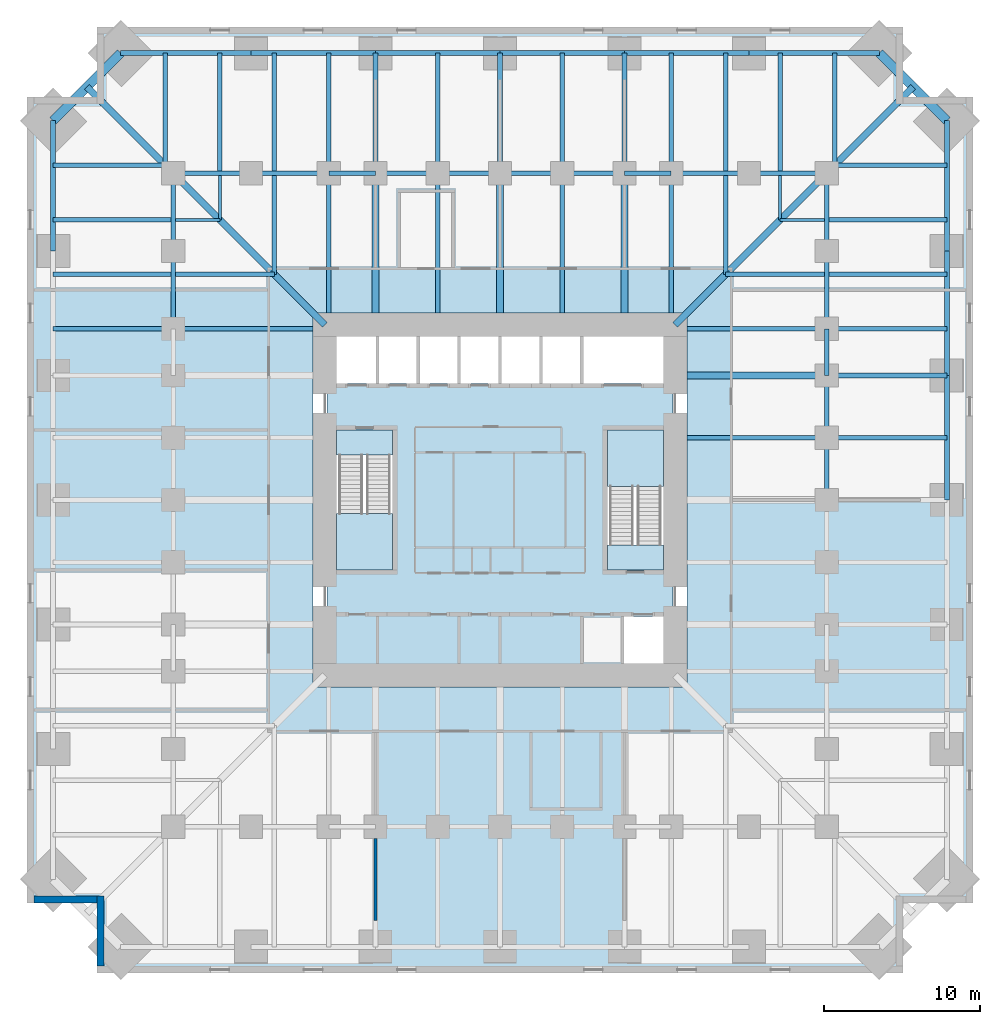
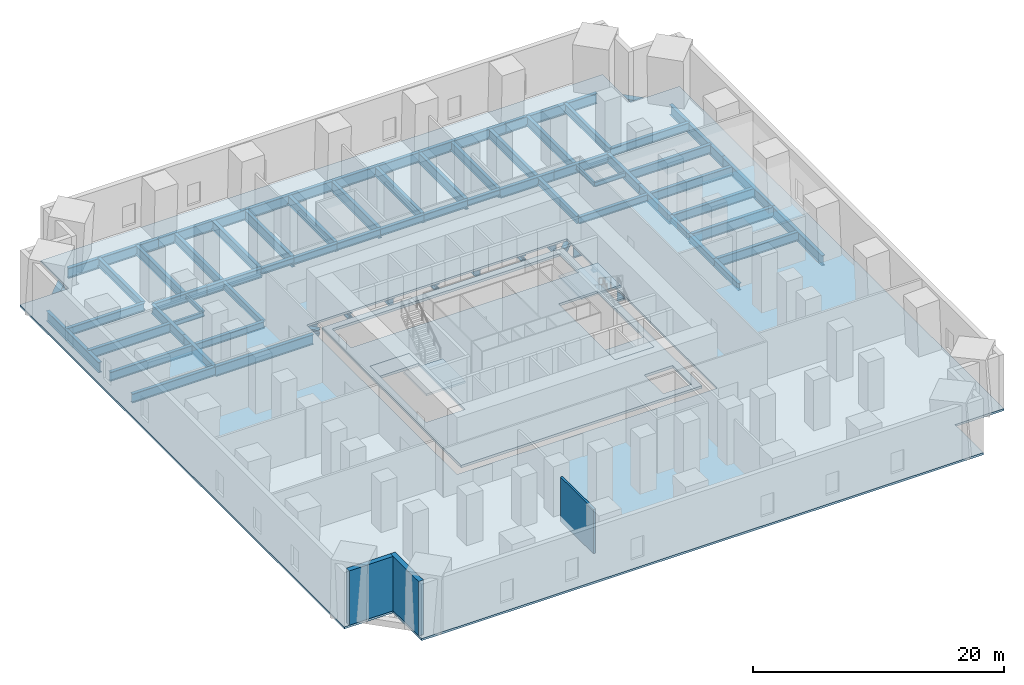
# One storey, part 2 of 8: 75 beams, 6 slabs, 3 walls, 2 elements without a shape of their own.
"""IFC4 building model written with IfcOpenShell, lengths in metres."""

from ifc_helpers import new_model, si_unit, direction, frame, frame_2d, origin, origin_2d, place, context, subcontext, project, spatial, polyline, rectangle, hollow_rectangle, i_section, outline, extrude, material, layer, layer_set, material_profile, profile_set, type_object, element, aggregate, save


model = new_model("IFC4")

# Units and contexts
model_context = context("Model", 3, precision=1e-05, world=origin(), true_north=direction((0.0, 1.0)))
body_context = subcontext(model_context, "Body", "Model", "MODEL_VIEW")
ifc_project = project(units=[si_unit("LENGTHUNIT", "METRE"), si_unit("AREAUNIT", "SQUARE_METRE"), si_unit("VOLUMEUNIT", "CUBIC_METRE"), si_unit("PLANEANGLEUNIT", "RADIAN"), si_unit("MASSUNIT", "GRAM", prefix="KILO")], contexts=[model_context])

# Site, building, storey
site_placement = place(None, origin())
site = spatial("IfcSite", under=ifc_project, at=site_placement, CompositionType="ELEMENT")
building_placement = place(site_placement, origin())
building = spatial("IfcBuilding", under=site, at=building_placement, Name="Peilmerk Tower", CompositionType="ELEMENT")
storey_placement = place(building_placement, frame((0.0, 0.0, 54.0)))
storey = spatial("IfcBuildingStorey", under=building, at=storey_placement, Name="L10", CompositionType="ELEMENT", Elevation=54.0)

# Beams
ifc_material_1 = material(Name="Steel S355", Category="steel")
ifc_material_profile_1 = material_profile(ifc_material_1, i_section(OverallWidth=0.302001953125, OverallDepth=1.008056640625, WebThickness=0.02099609375, FlangeThickness=0.0400390625, at=origin_2d()), Name="HEM 1000")
ifc_profile_set_1 = profile_set([ifc_material_profile_1], Name="Steel S355")
beam_type_1 = type_object("IfcBeamType", Name="B1 HEM 1000 edge beam", PredefinedType="SPANDREL", material=ifc_profile_set_1)
for number, where, z_axis, x_axis, name in (
    (1, (24.369384765625, 28.71923828125, -0.7041015625), (-1.0, 0.0, 0.0), (0.0, -1.0, 0.0), "Edge beam L10"),
    (2, (-16.0, 28.71923828125, -0.7041015625), (-1.0, 0.0, 0.0), (0.0, -1.0, 0.0), "Edge beam L10"),
    (3, (28.71923828125, 16.0, -0.7041015625), (0.0, 1.0, 0.0), (-1.0, 0.0, 0.0), "Edge beam L10"),
    (4, (-28.71923828125, 24.369384765625, -0.7041015625), (0.0, -1.0, 0.0), (1.0, 0.0, 0.0), "Edge beam L10"),
):
    element("IfcBeam", number, at=place(storey_placement, frame(where, z_axis=z_axis, x_axis=x_axis)), inside=storey, type_object=beam_type_1, Name=name, PredefinedType="SPANDREL", context=body_context, shape_type="SweptSolid", body=[
        extrude(i_section(OverallWidth=0.302001953125, OverallDepth=1.008056640625, WebThickness=0.02099609375, FlangeThickness=0.0400390625, at=origin_2d()), origin(), (0.0, 0.0, 1.0), 8.369384765625),
    ])
ifc_material_profile_2 = material_profile(ifc_material_1, i_section(OverallWidth=0.300048828125, OverallDepth=1.0, WebThickness=0.01904296875, FlangeThickness=0.035888671875, at=origin_2d()), Name="HEB 1000")
ifc_profile_set_2 = profile_set([ifc_material_profile_2], Name="Steel S355")
beam_type_2 = type_object("IfcBeamType", Name="B13 HEB 1000 edge beam", PredefinedType="SPANDREL", material=ifc_profile_set_2)
for number, where, z_axis, x_axis, name in (
    (5, (16.0, 28.71923828125, -0.699951171875), (-1.0, 0.0, 0.0), (0.0, -1.0, 0.0), "Edge beam L10"),
    (6, (8.0, 28.71923828125, -0.699951171875), (-1.0, 0.0, 0.0), (0.0, -1.0, 0.0), "Edge beam L10"),
    (7, (0.0, 28.71923828125, -0.699951171875), (-1.0, 0.0, 0.0), (0.0, -1.0, 0.0), "Edge beam L10"),
    (8, (-8.0, 28.71923828125, -0.699951171875), (-1.0, 0.0, 0.0), (0.0, -1.0, 0.0), "Edge beam L10"),
    (9, (28.71923828125, 0.0, -0.699951171875), (0.0, 1.0, 0.0), (-1.0, 0.0, 0.0), "Edge beam L10"),
    (10, (28.71923828125, 8.0, -0.699951171875), (0.0, 1.0, 0.0), (-1.0, 0.0, 0.0), "Edge beam L10"),
):
    element("IfcBeam", number, at=place(storey_placement, frame(where, z_axis=z_axis, x_axis=x_axis)), inside=storey, type_object=beam_type_2, Name=name, PredefinedType="SPANDREL", context=body_context, shape_type="SweptSolid", body=[
        extrude(i_section(OverallWidth=0.300048828125, OverallDepth=1.0, WebThickness=0.01904296875, FlangeThickness=0.035888671875, at=origin_2d()), origin(), (0.0, 0.0, 1.0), 8.0),
    ])
ifc_material_profile_3 = material_profile(ifc_material_1, i_section(OverallWidth=0.300048828125, OverallDepth=0.68994140625, WebThickness=0.014404296875, FlangeThickness=0.027099609375, at=origin_2d()), Name="HEA 700")
ifc_profile_set_3 = profile_set([ifc_material_profile_3], Name="Steel S355")
beam_type_3 = type_object("IfcBeamType", Name="B16 HEA 700 floor beam", PredefinedType="BEAM", material=ifc_profile_set_3)
for number, where, z_axis, x_axis, name in (
    (11, (14.5, 14.5, -0.544921875), (0.0, 1.0, 0.0), (-1.0, 0.0, 0.0), "Floor beam L10"),
    (12, (14.5, 14.5, -0.544921875), (1.0, 0.0, 0.0), (0.0, 1.0, 0.0), "Floor beam L10"),
    (13, (-14.5, 14.5, -0.544921875), (0.0, 1.0, 0.0), (-1.0, 0.0, 0.0), "Floor beam L10"),
    (14, (-14.5, 14.5, -0.544921875), (-1.0, 0.0, 0.0), (0.0, -1.0, 0.0), "Floor beam L10"),
):
    element("IfcBeam", number, at=place(storey_placement, frame(where, z_axis=z_axis, x_axis=x_axis)), inside=storey, type_object=beam_type_3, Name=name, PredefinedType="BEAM", context=body_context, shape_type="SweptSolid", body=[
        extrude(i_section(OverallWidth=0.300048828125, OverallDepth=0.68994140625, WebThickness=0.014404296875, FlangeThickness=0.027099609375, at=origin_2d()), origin(), (0.0, 0.0, 1.0), 6.34912109375),
    ])
ifc_material_profile_4 = material_profile(ifc_material_1, i_section(OverallWidth=0.302001953125, OverallDepth=0.909912109375, WebThickness=0.02099609375, FlangeThickness=0.0400390625, at=origin_2d()), Name="HEM 900")
ifc_profile_set_4 = profile_set([ifc_material_profile_4], Name="Steel S355")
beam_type_4 = type_object("IfcBeamType", Name="B18 HEM 900 ring girder", PredefinedType="BEAM", material=ifc_profile_set_4)
for number, where, z_axis, x_axis, name in (
    (15, (21.0, 21.0, -0.655029296875), (-1.0, 0.0, 0.0), (0.0, -1.0, 0.0), "Ring girder L10"),
    (16, (16.0, 21.0, -0.655029296875), (-1.0, 0.0, 0.0), (0.0, -1.0, 0.0), "Ring girder L10"),
    (17, (-11.0, 21.0, -0.655029296875), (-1.0, 0.0, 0.0), (0.0, -1.0, 0.0), "Ring girder L10"),
    (18, (-16.0, 21.0, -0.655029296875), (-1.0, 0.0, 0.0), (0.0, -1.0, 0.0), "Ring girder L10"),
    (19, (21.0, 11.0, -0.655029296875), (0.0, 1.0, 0.0), (-1.0, 0.0, 0.0), "Ring girder L10"),
    (20, (21.0, 16.0, -0.655029296875), (0.0, 1.0, 0.0), (-1.0, 0.0, 0.0), "Ring girder L10"),
    (21, (-21.0, 21.0, -0.655029296875), (0.0, -1.0, 0.0), (1.0, 0.0, 0.0), "Ring girder L10"),
    (22, (-21.0, 16.0, -0.655029296875), (0.0, -1.0, 0.0), (1.0, 0.0, 0.0), "Ring girder L10"),
):
    element("IfcBeam", number, at=place(storey_placement, frame(where, z_axis=z_axis, x_axis=x_axis)), inside=storey, type_object=beam_type_4, Name=name, PredefinedType="BEAM", context=body_context, shape_type="SweptSolid", body=[
        extrude(i_section(OverallWidth=0.302001953125, OverallDepth=0.909912109375, WebThickness=0.02099609375, FlangeThickness=0.0400390625, at=origin_2d()), origin(), (0.0, 0.0, 1.0), 5.0),
    ])
ifc_material_profile_5 = material_profile(ifc_material_1, i_section(OverallWidth=0.303955078125, OverallDepth=0.716064453125, WebThickness=0.02099609375, FlangeThickness=0.0400390625, at=origin_2d()), Name="HEM 700")
ifc_profile_set_5 = profile_set([ifc_material_profile_5], Name="Steel S355")
beam_type_5 = type_object("IfcBeamType", Name="B19 HEM 700 ring girder", PredefinedType="BEAM", material=ifc_profile_set_5)
for number, where, z_axis, x_axis, name in (
    (23, (8.0, 21.0, -0.55810546875), (-1.0, 0.0, 0.0), (0.0, -1.0, 0.0), "Ring girder L10"),
    (24, (4.0, 21.0, -0.55810546875), (-1.0, 0.0, 0.0), (0.0, -1.0, 0.0), "Ring girder L10"),
    (25, (0.0, 21.0, -0.55810546875), (-1.0, 0.0, 0.0), (0.0, -1.0, 0.0), "Ring girder L10"),
    (26, (-4.0, 21.0, -0.55810546875), (-1.0, 0.0, 0.0), (0.0, -1.0, 0.0), "Ring girder L10"),
    (27, (21.0, 0.0, -0.55810546875), (0.0, 1.0, 0.0), (-1.0, 0.0, 0.0), "Ring girder L10"),
    (28, (21.0, 4.0, -0.55810546875), (0.0, 1.0, 0.0), (-1.0, 0.0, 0.0), "Ring girder L10"),
):
    element("IfcBeam", number, at=place(storey_placement, frame(where, z_axis=z_axis, x_axis=x_axis)), inside=storey, type_object=beam_type_5, Name=name, PredefinedType="BEAM", context=body_context, shape_type="SweptSolid", body=[
        extrude(i_section(OverallWidth=0.303955078125, OverallDepth=0.716064453125, WebThickness=0.02099609375, FlangeThickness=0.0400390625, at=origin_2d()), origin(), (0.0, 0.0, 1.0), 4.0),
    ])
ifc_material_2 = material(Name="Steel S460", Category="steel")
ifc_material_profile_6 = material_profile(ifc_material_2, hollow_rectangle(XDim=0.60009765625, YDim=0.60009765625, WallThickness=0.06005859375, at=origin_2d()), Name="BOX 600x600x60")
ifc_profile_set_6 = profile_set([ifc_material_profile_6], Name="Steel S460")
beam_type_6 = type_object("IfcBeamType", Name="B20 BOX 600x600x60 notch beam", PredefinedType="SPANDREL", material=ifc_profile_set_6)
for number, where, z_axis, x_axis, name in (
    (29, (24.369384765625, 28.71923828125, -0.5), (0.707106781187, -0.707106781187, 0.0), (0.707106781187, 0.707106781187, 0.0), "Notch beam L10"),
    (30, (-28.71923828125, 24.369384765625, -0.5), (0.707106781187, 0.707106781187, 0.0), (-0.707106781187, 0.707106781187, 0.0), "Notch beam L10"),
):
    element("IfcBeam", number, at=place(storey_placement, frame(where, z_axis=z_axis, x_axis=x_axis)), inside=storey, type_object=beam_type_6, Name=name, PredefinedType="SPANDREL", context=body_context, shape_type="SweptSolid", body=[
        extrude(hollow_rectangle(XDim=0.60009765625, YDim=0.60009765625, WallThickness=0.06005859375, at=origin_2d()), origin(), (0.0, 0.0, 1.0), 6.151611328125),
    ])
ifc_material_profile_7 = material_profile(ifc_material_1, i_section(OverallWidth=0.18994140625, OverallDepth=0.449951171875, WebThickness=0.009521484375, FlangeThickness=0.0146484375, at=origin_2d()), Name="IPE 450")
ifc_profile_set_7 = profile_set([ifc_material_profile_7], Name="Steel S355")
beam_type_7 = type_object("IfcBeamType", Name="B21 IPE 450 floor beam", PredefinedType="BEAM", material=ifc_profile_set_7)
for number, where, z_axis, x_axis, name in (
    (31, (18.0, 18.0, -0.425048828125), (0.0, 1.0, 0.0), (-1.0, 0.0, 0.0), "Floor beam L10"),
    (32, (18.0, 18.0, -0.425048828125), (1.0, 0.0, 0.0), (0.0, 1.0, 0.0), "Floor beam L10"),
    (33, (-18.0, 18.0, -0.425048828125), (0.0, 1.0, 0.0), (-1.0, 0.0, 0.0), "Floor beam L10"),
    (34, (-18.0, 18.0, -0.425048828125), (-1.0, 0.0, 0.0), (0.0, -1.0, 0.0), "Floor beam L10"),
):
    element("IfcBeam", number, at=place(storey_placement, frame(where, z_axis=z_axis, x_axis=x_axis)), inside=storey, type_object=beam_type_7, Name=name, PredefinedType="BEAM", context=body_context, shape_type="SweptSolid", body=[
        extrude(i_section(OverallWidth=0.18994140625, OverallDepth=0.449951171875, WebThickness=0.009521484375, FlangeThickness=0.0146484375, at=origin_2d()), origin(), (0.0, 0.0, 1.0), 2.84912109375),
    ])
ifc_material_profile_8 = material_profile(ifc_material_1, i_section(OverallWidth=0.302001953125, OverallDepth=1.008056640625, WebThickness=0.02099609375, FlangeThickness=0.0400390625, at=origin_2d()), Name="HEM 1000")
ifc_profile_set_8 = profile_set([ifc_material_profile_8], Name="Steel S355")
beam_type_8 = type_object("IfcBeamType", Name="B24 HEM 1000 floor girder", PredefinedType="BEAM", material=ifc_profile_set_8)
for number, where, z_axis, x_axis, name in (
    (35, (8.0, 21.0, -0.7041015625), (0.0, 1.0, 0.0), (-1.0, 0.0, 0.0), "Floor girder L10"),
    (36, (0.0, 21.0, -0.7041015625), (0.0, 1.0, 0.0), (-1.0, 0.0, 0.0), "Floor girder L10"),
    (37, (-8.0, 21.0, -0.7041015625), (0.0, 1.0, 0.0), (-1.0, 0.0, 0.0), "Floor girder L10"),
    (38, (21.0, 8.0, -0.7041015625), (1.0, 0.0, 0.0), (0.0, 1.0, 0.0), "Floor girder L10"),
):
    element("IfcBeam", number, at=place(storey_placement, frame(where, z_axis=z_axis, x_axis=x_axis)), inside=storey, type_object=beam_type_8, Name=name, PredefinedType="BEAM", context=body_context, shape_type="SweptSolid", body=[
        extrude(i_section(OverallWidth=0.302001953125, OverallDepth=1.008056640625, WebThickness=0.02099609375, FlangeThickness=0.0400390625, at=origin_2d()), origin(), (0.0, 0.0, 1.0), 7.71923828125),
    ])
ifc_material_profile_9 = material_profile(ifc_material_1, i_section(OverallWidth=0.300048828125, OverallDepth=0.7900390625, WebThickness=0.014892578125, FlangeThickness=0.028076171875, at=origin_2d()), Name="HEA 800")
ifc_profile_set_9 = profile_set([ifc_material_profile_9], Name="Steel S355")
beam_type_9 = type_object("IfcBeamType", Name="B3 HEA 800 floor beam", PredefinedType="BEAM", material=ifc_profile_set_9)
for number, where, z_axis, x_axis, name in (
    (39, (21.5, 21.5, -0.594970703125), (0.0, 1.0, 0.0), (-1.0, 0.0, 0.0), "Floor beam L10"),
    (40, (21.5, 21.5, -0.594970703125), (1.0, 0.0, 0.0), (0.0, 1.0, 0.0), "Floor beam L10"),
    (41, (-21.5, 21.5, -0.594970703125), (0.0, 1.0, 0.0), (-1.0, 0.0, 0.0), "Floor beam L10"),
    (42, (-21.5, 21.5, -0.594970703125), (-1.0, 0.0, 0.0), (0.0, -1.0, 0.0), "Floor beam L10"),
):
    element("IfcBeam", number, at=place(storey_placement, frame(where, z_axis=z_axis, x_axis=x_axis)), inside=storey, type_object=beam_type_9, Name=name, PredefinedType="BEAM", context=body_context, shape_type="SweptSolid", body=[
        extrude(i_section(OverallWidth=0.300048828125, OverallDepth=0.7900390625, WebThickness=0.014892578125, FlangeThickness=0.028076171875, at=origin_2d()), origin(), (0.0, 0.0, 1.0), 7.21923828125),
    ])
ifc_material_profile_10 = material_profile(ifc_material_1, i_section(OverallWidth=0.300048828125, OverallDepth=0.889892578125, WebThickness=0.01611328125, FlangeThickness=0.030029296875, at=origin_2d()), Name="HEA 900")
ifc_profile_set_10 = profile_set([ifc_material_profile_10], Name="Steel S355")
beam_type_10 = type_object("IfcBeamType", Name="B4 HEA 900 floor beam", PredefinedType="BEAM", material=ifc_profile_set_10)
for number, where, z_axis, x_axis, name in (
    (43, (11.0, 21.0, -0.64501953125), (0.0, 1.0, 0.0), (-1.0, 0.0, 0.0), "Floor beam L10"),
    (44, (4.0, 21.0, -0.64501953125), (0.0, 1.0, 0.0), (-1.0, 0.0, 0.0), "Floor beam L10"),
    (45, (-4.0, 21.0, -0.64501953125), (0.0, 1.0, 0.0), (-1.0, 0.0, 0.0), "Floor beam L10"),
    (46, (-11.0, 21.0, -0.64501953125), (0.0, 1.0, 0.0), (-1.0, 0.0, 0.0), "Floor beam L10"),
    (47, (21.0, 4.0, -0.64501953125), (1.0, 0.0, 0.0), (0.0, 1.0, 0.0), "Floor beam L10"),
    (48, (21.0, 11.0, -0.64501953125), (1.0, 0.0, 0.0), (0.0, 1.0, 0.0), "Floor beam L10"),
    (49, (-21.0, 11.0, -0.64501953125), (-1.0, 0.0, 0.0), (0.0, -1.0, 0.0), "Floor beam L10"),
):
    element("IfcBeam", number, at=place(storey_placement, frame(where, z_axis=z_axis, x_axis=x_axis)), inside=storey, type_object=beam_type_10, Name=name, PredefinedType="BEAM", context=body_context, shape_type="SweptSolid", body=[
        extrude(i_section(OverallWidth=0.300048828125, OverallDepth=0.889892578125, WebThickness=0.01611328125, FlangeThickness=0.030029296875, at=origin_2d()), origin(), (0.0, 0.0, 1.0), 7.71923828125),
    ])
for number, where, z_axis, x_axis, name in (
    (50, (14.5, 21.15087890625, -0.64501953125), (0.0, 1.0, 0.0), (-1.0, 0.0, 0.0), "Floor beam L10"),
    (51, (21.15087890625, 14.5, -0.64501953125), (1.0, 0.0, 0.0), (0.0, 1.0, 0.0), "Floor beam L10"),
    (52, (18.0, 21.15087890625, -0.64501953125), (0.0, 1.0, 0.0), (-1.0, 0.0, 0.0), "Floor beam L10"),
    (53, (21.15087890625, 18.0, -0.64501953125), (1.0, 0.0, 0.0), (0.0, 1.0, 0.0), "Floor beam L10"),
    (54, (-14.5, 21.15087890625, -0.64501953125), (0.0, 1.0, 0.0), (-1.0, 0.0, 0.0), "Floor beam L10"),
    (55, (-21.15087890625, 14.5, -0.64501953125), (-1.0, 0.0, 0.0), (0.0, -1.0, 0.0), "Floor beam L10"),
    (56, (-18.0, 21.15087890625, -0.64501953125), (0.0, 1.0, 0.0), (-1.0, 0.0, 0.0), "Floor beam L10"),
    (57, (-21.15087890625, 18.0, -0.64501953125), (-1.0, 0.0, 0.0), (0.0, -1.0, 0.0), "Floor beam L10"),
):
    element("IfcBeam", number, at=place(storey_placement, frame(where, z_axis=z_axis, x_axis=x_axis)), inside=storey, type_object=beam_type_10, Name=name, PredefinedType="BEAM", context=body_context, shape_type="SweptSolid", body=[
        extrude(i_section(OverallWidth=0.300048828125, OverallDepth=0.889892578125, WebThickness=0.01611328125, FlangeThickness=0.030029296875, at=origin_2d()), origin(), (0.0, 0.0, 1.0), 7.568359375),
    ])
ifc_material_profile_11 = material_profile(ifc_material_1, i_section(OverallWidth=0.300048828125, OverallDepth=1.0, WebThickness=0.01904296875, FlangeThickness=0.035888671875, at=origin_2d()), Name="HEB 1000")
ifc_profile_set_11 = profile_set([ifc_material_profile_11], Name="Steel S355")
beam_type_11 = type_object("IfcBeamType", Name="B5 HEB 1000 floor girder", PredefinedType="BEAM", material=ifc_profile_set_11)
for number, where, z_axis, x_axis, name in (
    (58, (11.0, 12.0, -0.699951171875), (0.0, 1.0, 0.0), (-1.0, 0.0, 0.0), "Floor beam L10"),
    (59, (4.0, 12.0, -0.699951171875), (0.0, 1.0, 0.0), (-1.0, 0.0, 0.0), "Floor beam L10"),
    (60, (-4.0, 12.0, -0.699951171875), (0.0, 1.0, 0.0), (-1.0, 0.0, 0.0), "Floor beam L10"),
    (61, (-11.0, 12.0, -0.699951171875), (0.0, 1.0, 0.0), (-1.0, 0.0, 0.0), "Floor beam L10"),
    (62, (12.0, 4.0, -0.699951171875), (1.0, 0.0, 0.0), (0.0, 1.0, 0.0), "Floor beam L10"),
    (63, (12.0, 11.0, -0.699951171875), (1.0, 0.0, 0.0), (0.0, 1.0, 0.0), "Floor beam L10"),
    (64, (-12.0, 11.0, -0.699951171875), (-1.0, 0.0, 0.0), (0.0, -1.0, 0.0), "Floor beam L10"),
):
    element("IfcBeam", number, at=place(storey_placement, frame(where, z_axis=z_axis, x_axis=x_axis)), inside=storey, type_object=beam_type_11, Name=name, PredefinedType="BEAM", context=body_context, shape_type="SweptSolid", body=[
        extrude(i_section(OverallWidth=0.300048828125, OverallDepth=1.0, WebThickness=0.01904296875, FlangeThickness=0.035888671875, at=origin_2d()), origin(), (0.0, 0.0, 1.0), 9.0),
    ])
ifc_material_profile_12 = material_profile(ifc_material_1, i_section(OverallWidth=0.304931640625, OverallDepth=0.6201171875, WebThickness=0.02099609375, FlangeThickness=0.0400390625, at=origin_2d()), Name="HEM 600")
ifc_profile_set_12 = profile_set([ifc_material_profile_12], Name="Steel S355")
beam_type_12 = type_object("IfcBeamType", Name="B6 HEM 600 ring girder", PredefinedType="BEAM", material=ifc_profile_set_12)
for number, where, z_axis, x_axis, name in (
    (65, (11.0, 21.0, -0.510009765625), (-1.0, 0.0, 0.0), (0.0, -1.0, 0.0), "Ring girder L10"),
    (66, (-8.0, 21.0, -0.510009765625), (-1.0, 0.0, 0.0), (0.0, -1.0, 0.0), "Ring girder L10"),
    (67, (21.0, 8.0, -0.510009765625), (0.0, 1.0, 0.0), (-1.0, 0.0, 0.0), "Ring girder L10"),
):
    element("IfcBeam", number, at=place(storey_placement, frame(where, z_axis=z_axis, x_axis=x_axis)), inside=storey, type_object=beam_type_12, Name=name, PredefinedType="BEAM", context=body_context, shape_type="SweptSolid", body=[
        extrude(i_section(OverallWidth=0.304931640625, OverallDepth=0.6201171875, WebThickness=0.02099609375, FlangeThickness=0.0400390625, at=origin_2d()), origin(), (0.0, 0.0, 1.0), 3.0),
    ])
ifc_material_profile_13 = material_profile(ifc_material_2, i_section(OverallWidth=0.4541015625, OverallDepth=0.569091796875, WebThickness=0.077880859375, FlangeThickness=0.125, at=origin_2d()), Name="HD 400x1086")
ifc_profile_set_13 = profile_set([ifc_material_profile_13], Name="Steel S460")
beam_type_13 = type_object("IfcBeamType", Name="B9 HD 400x1086 corner girder", PredefinedType="BEAM", material=ifc_profile_set_13)
for number, where, z_axis, x_axis, name in (
    (68, (8.0, 12.0, -0.484619140625), (0.0, 1.0, 0.0), (-1.0, 0.0, 0.0), "Floor girder L10"),
    (69, (0.0, 12.0, -0.484619140625), (0.0, 1.0, 0.0), (-1.0, 0.0, 0.0), "Floor girder L10"),
    (70, (-8.0, 12.0, -0.484619140625), (0.0, 1.0, 0.0), (-1.0, 0.0, 0.0), "Floor girder L10"),
    (71, (12.0, 8.0, -0.484619140625), (1.0, 0.0, 0.0), (0.0, 1.0, 0.0), "Floor girder L10"),
):
    element("IfcBeam", number, at=place(storey_placement, frame(where, z_axis=z_axis, x_axis=x_axis)), inside=storey, type_object=beam_type_13, Name=name, PredefinedType="BEAM", context=body_context, shape_type="SweptSolid", body=[
        extrude(i_section(OverallWidth=0.4541015625, OverallDepth=0.569091796875, WebThickness=0.077880859375, FlangeThickness=0.125, at=origin_2d()), origin(), (0.0, 0.0, 1.0), 9.0),
    ])
beam_1_placement = place(storey_placement, frame((11.25, 11.25, -0.484619140625), z_axis=(0.707106781187, 0.707106781187, 0.0), x_axis=(-0.707106781187, 0.707106781187, 0.0)))
element("IfcBeam", 72, at=beam_1_placement, inside=storey, type_object=beam_type_13, Name="Corner girder L10", PredefinedType="BEAM", context=body_context, shape_type="SweptSolid", body=[
    extrude(i_section(OverallWidth=0.4541015625, OverallDepth=0.569091796875, WebThickness=0.077880859375, FlangeThickness=0.125, at=origin_2d()), origin(), (0.0, 0.0, 1.0), 13.78857421875),
])
beam_2_placement = place(storey_placement, frame((21.0, 21.0, -0.484619140625), z_axis=(0.707106781187, 0.707106781187, 0.0), x_axis=(-0.707106781187, 0.707106781187, 0.0)))
element("IfcBeam", 73, at=beam_2_placement, inside=storey, type_object=beam_type_13, Name="Corner girder L10", PredefinedType="BEAM", context=body_context, shape_type="SweptSolid", body=[
    extrude(i_section(OverallWidth=0.4541015625, OverallDepth=0.569091796875, WebThickness=0.077880859375, FlangeThickness=0.125, at=origin_2d()), origin(), (0.0, 0.0, 1.0), 7.841064453125),
])
beam_3_placement = place(storey_placement, frame((-11.25, 11.25, -0.484619140625), z_axis=(-0.707106781187, 0.707106781187, 0.0), x_axis=(-0.707106781187, -0.707106781187, 0.0)))
element("IfcBeam", 74, at=beam_3_placement, inside=storey, type_object=beam_type_13, Name="Corner girder L10", PredefinedType="BEAM", context=body_context, shape_type="SweptSolid", body=[
    extrude(i_section(OverallWidth=0.4541015625, OverallDepth=0.569091796875, WebThickness=0.077880859375, FlangeThickness=0.125, at=origin_2d()), origin(), (0.0, 0.0, 1.0), 13.78857421875),
])
beam_4_placement = place(storey_placement, frame((-21.0, 21.0, -0.484619140625), z_axis=(-0.707106781187, 0.707106781187, 0.0), x_axis=(-0.707106781187, -0.707106781187, 0.0)))
element("IfcBeam", 75, at=beam_4_placement, inside=storey, type_object=beam_type_13, Name="Corner girder L10", PredefinedType="BEAM", context=body_context, shape_type="SweptSolid", body=[
    extrude(i_section(OverallWidth=0.4541015625, OverallDepth=0.569091796875, WebThickness=0.077880859375, FlangeThickness=0.125, at=origin_2d()), origin(), (0.0, 0.0, 1.0), 7.841064453125),
])

# Slabs
ifc_material_3 = material(Name="Concrete C55/67", Category="concrete")
ifc_layer_1 = layer(ifc_material_3, 0.25)
ifc_layer_set_1 = layer_set([ifc_layer_1], Name="Concrete C55/67")
slab_type_1 = type_object("IfcSlabType", Name="CS250 250 core floor slab", PredefinedType="FLOOR", material=ifc_layer_set_1)
slab_1_placement = place(storey_placement, frame((0.0, 0.0, -0.25)))
element("IfcSlab", 76, at=slab_1_placement, inside=storey, type_object=slab_type_1, Name="Core slab L10", PredefinedType="FLOOR", context=body_context, shape_type="SweptSolid", body=[
    extrude(outline(polyline([(-11.10009765625, 11.10009765625), (-11.10009765625, -11.10009765625), (11.10009765625, -11.10009765625), (11.10009765625, 11.10009765625), (-11.10009765625, 11.10009765625)]), holes=[polyline([(10.5, 7.5), (-10.5, 7.5), (-10.5, 10.5), (10.5, 10.5), (10.5, 7.5)]), polyline([(7.875, -10.5), (7.875, -7.5), (10.5, -7.5), (10.5, -10.5), (7.875, -10.5)]), polyline([(-10.5, 4.5), (-6.89990234375, 4.5), (-6.89990234375, -4.5), (-10.5, -4.5), (-10.5, 4.5)]), polyline([(10.5, 4.5), (10.5, -4.5), (6.89990234375, -4.5), (6.89990234375, 4.5), (10.5, 4.5)])]), origin(), (0.0, 0.0, 1.0), 0.25),
])
ifc_material_4 = material(Name="Concrete C35/45", Category="concrete")
ifc_layer_2 = layer(ifc_material_4, 0.199951171875)
ifc_layer_set_2 = layer_set([ifc_layer_2], Name="Concrete C35/45")
slab_type_2 = type_object("IfcSlabType", Name="FS200 200 composite floor slab", PredefinedType="FLOOR", material=ifc_layer_set_2)
slab_2_placement = place(storey_placement, frame((0.0, 0.0, -0.199951171875)))
element("IfcSlab", 77, at=slab_2_placement, inside=storey, type_object=slab_type_2, Name="Floor slab L10", PredefinedType="FLOOR", context=body_context, shape_type="SweptSolid", body=[
    extrude(outline(polyline([(-25.89990234375, -30.39990234375), (25.89990234375, -30.39990234375), (25.89990234375, -25.89990234375), (30.39990234375, -25.89990234375), (30.39990234375, 25.89990234375), (25.89990234375, 25.89990234375), (25.89990234375, 30.39990234375), (-25.89990234375, 30.39990234375), (-25.89990234375, 25.89990234375), (-30.39990234375, 25.89990234375), (-30.39990234375, -25.89990234375), (-25.89990234375, -25.89990234375), (-25.89990234375, -30.39990234375)]), holes=[polyline([(12.0, 12.0), (12.0, -12.0), (-12.0, -12.0), (-12.0, 12.0), (12.0, 12.0)])]), origin(), (0.0, 0.0, 1.0), 0.199951171875),
])

# Stair, slab
ifc_material_5 = material(Name="Precast concrete C45/55", Category="concrete")
stair_type_1 = type_object("IfcStairType", Name="ST1 30 risers of 183.3", PredefinedType="HALF_TURN_STAIR", material=ifc_material_5)
stair_1_placement = place(storey_placement, origin())
stair_1 = element("IfcStair", 78, at=stair_1_placement, inside=storey, type_object=stair_type_1, Name="Stair 1 L10 to L11", PredefinedType="HALF_TURN_STAIR")
ifc_layer_3 = layer(ifc_material_4, 0.199951171875)
ifc_layer_set_3 = layer_set([ifc_layer_3], Name="Concrete C35/45")
slab_type_3 = type_object("IfcSlabType", Name="SL1 200 concrete stair landing", PredefinedType="LANDING", material=ifc_layer_set_3)
slab_3_placement = place(storey_placement, frame((0.0, 0.0, 2.550048828125)))
slab_3 = element("IfcSlab", 79, at=slab_3_placement, type_object=slab_type_3, Name="ST1 landing 1", PredefinedType="LANDING", context=body_context, shape_type="SweptSolid", body=[
    extrude(outline(polyline([(-10.5, -4.5), (-6.89990234375, -4.5), (-6.89990234375, -0.8798828125), (-10.5, -0.8798828125), (-10.5, -4.5)])), origin(), (0.0, 0.0, 1.0), 0.199951171875),
])

stair_type_2 = type_object("IfcStairType", Name="ST2 30 risers of 183.3", PredefinedType="HALF_TURN_STAIR", material=ifc_material_5)
stair_2_placement = place(storey_placement, origin())
stair_2 = element("IfcStair", 80, at=stair_2_placement, inside=storey, type_object=stair_type_2, Name="Stair 2 L10 to L11", PredefinedType="HALF_TURN_STAIR")
slab_4_placement = place(storey_placement, frame((0.0, 0.0, 2.550048828125)))
slab_4 = element("IfcSlab", 81, at=slab_4_placement, type_object=slab_type_3, Name="ST2 landing 1", PredefinedType="LANDING", context=body_context, shape_type="SweptSolid", body=[
    extrude(outline(polyline([(6.89990234375, 0.8798828125), (10.5, 0.8798828125), (10.5, 4.5), (6.89990234375, 4.5), (6.89990234375, 0.8798828125)])), origin(), (0.0, 0.0, 1.0), 0.199951171875),
])

# Slab
ifc_layer_4 = layer(ifc_material_4, 0.25)
ifc_layer_set_4 = layer_set([ifc_layer_4], Name="Concrete C35/45")
slab_type_4 = type_object("IfcSlabType", Name="SL2 250 concrete floor landing", PredefinedType="LANDING", material=ifc_layer_set_4)
slab_5_placement = place(storey_placement, frame((0.0, 0.0, -0.25)))
slab_5 = element("IfcSlab", 82, at=slab_5_placement, type_object=slab_type_4, Name="ST1 floor landing", PredefinedType="LANDING", context=body_context, shape_type="SweptSolid", body=[
    extrude(outline(polyline([(-10.5, 2.89990234375), (-6.89990234375, 2.89990234375), (-6.89990234375, 4.5), (-10.5, 4.5), (-10.5, 2.89990234375)])), origin(), (0.0, 0.0, 1.0), 0.25),
])

aggregate(stair_1, [slab_3, slab_5])

slab_6_placement = place(storey_placement, frame((0.0, 0.0, -0.25)))
slab_6 = element("IfcSlab", 83, at=slab_6_placement, type_object=slab_type_4, Name="ST2 floor landing", PredefinedType="LANDING", context=body_context, shape_type="SweptSolid", body=[
    extrude(outline(polyline([(6.89990234375, -4.5), (10.5, -4.5), (10.5, -2.89990234375), (6.89990234375, -2.89990234375), (6.89990234375, -4.5)])), origin(), (0.0, 0.0, 1.0), 0.25),
])

aggregate(stair_2, [slab_4, slab_6])

# Walls
ifc_material_6 = material(Name="Precast concrete C45/55, board-marked finish", Category="concrete")
ifc_layer_5 = layer(ifc_material_6, 0.449951171875)
ifc_layer_set_5 = layer_set([ifc_layer_5], Name="Precast concrete C45/55, board-marked finish")
wall_type_1 = type_object("IfcWallType", Name="EW1 450 precast concrete facade wall, board-marked", PredefinedType="SOLIDWALL", material=ifc_layer_set_5)
wall_1_placement = place(storey_placement, frame((-25.675048828125, -25.449951171875, 0.0), z_axis=(0.0, 0.0, 1.0), x_axis=(0.0, -1.0, 0.0)))
element("IfcWall", 84, at=wall_1_placement, inside=storey, type_object=wall_type_1, Name="Facade wall SWA L10", PredefinedType="SOLIDWALL", context=body_context, shape_type="SweptSolid", body=[
    extrude(rectangle(XDim=4.5, YDim=0.449951171875, at=frame_2d((2.25, 0.0))), origin(), (0.0, 0.0, 1.0), 5.300048828125),
])
wall_2_placement = place(storey_placement, frame((-25.89990234375, -25.675048828125, 0.0), z_axis=(0.0, 0.0, 1.0), x_axis=(-1.0, 0.0, 0.0)))
element("IfcWall", 85, at=wall_2_placement, inside=storey, type_object=wall_type_1, Name="Facade wall SWB L10", PredefinedType="SOLIDWALL", context=body_context, shape_type="SweptSolid", body=[
    extrude(rectangle(XDim=4.050048828125, YDim=0.449951171875, at=frame_2d((2.02490234375, 0.0))), origin(), (0.0, 0.0, 1.0), 5.300048828125),
])
ifc_material_7 = material(Name="Calcium silicate block", Category="masonry")
ifc_layer_6 = layer(ifc_material_7, 0.199951171875)
ifc_layer_set_6 = layer_set([ifc_layer_6], Name="Calcium silicate block")
wall_type_2 = type_object("IfcWallType", Name="IW2 200 room separating wall, EI 120", PredefinedType="PARTITIONING", material=ifc_layer_set_6)
wall_3_placement = place(storey_placement, frame((-8.0, -21.75, 0.0), z_axis=(0.0, 0.0, 1.0), x_axis=(0.0, -1.0, 0.0)))
element("IfcWall", 86, at=wall_3_placement, inside=storey, type_object=wall_type_2, Name="Room separating wall S1b L10", PredefinedType="PARTITIONING", context=body_context, shape_type="SweptSolid", body=[
    extrude(rectangle(XDim=5.2626953125, YDim=0.199951171875, at=frame_2d((2.63134765625, 0.0))), origin(), (0.0, 0.0, 1.0), 4.300048828125),
])

save(model, "model.ifc")
